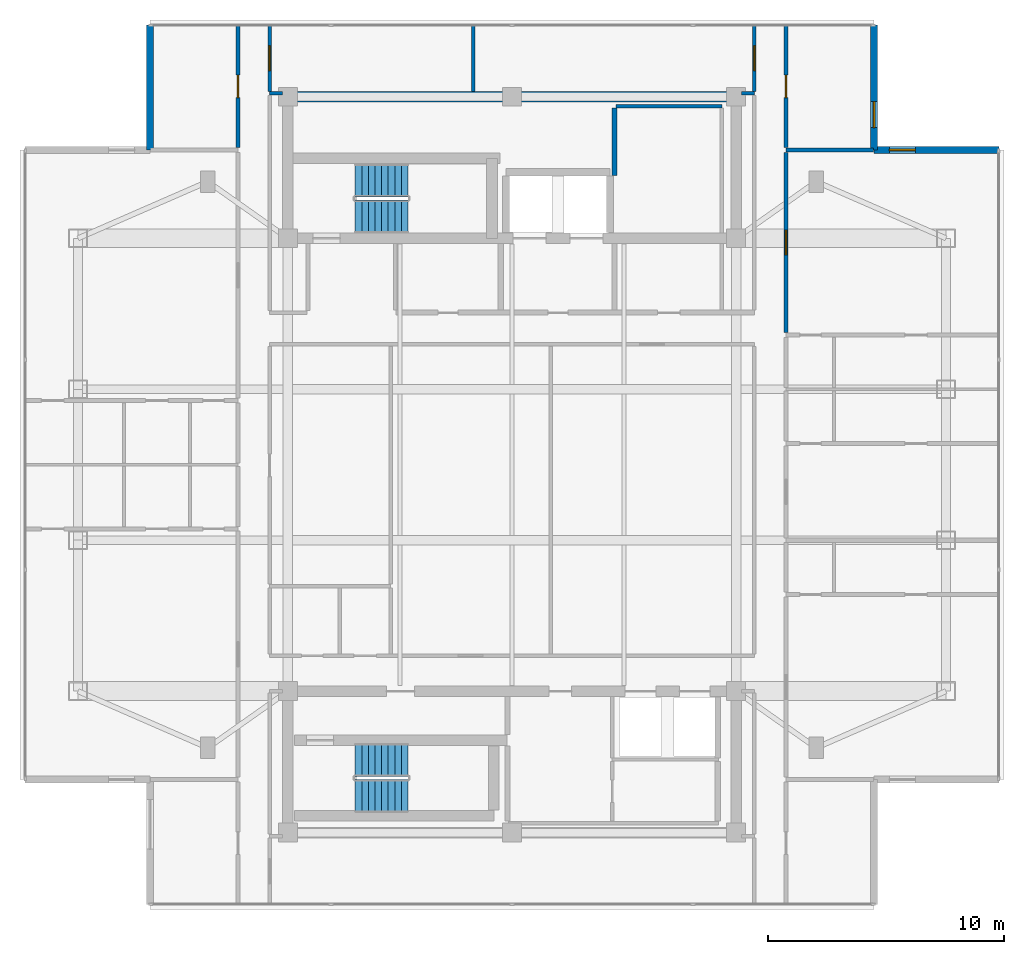
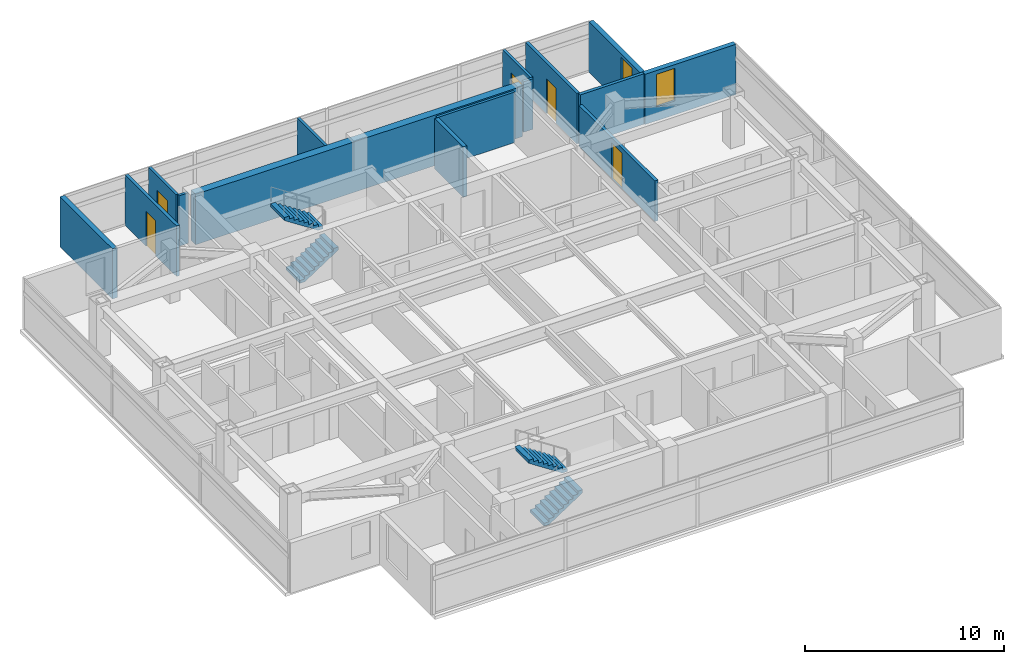
# One storey, part 9 of 12: 15 walls, 5 doors, 4 stair flights, 2 windows, 7 openings, 2 elements without a shape of their own.
"""IFC4 building model written with IfcOpenShell, lengths in metres."""

from ifc_helpers import new_model, si_unit, direction, frame, frame_2d, origin, place, context, subcontext, project, spatial, polyline, rectangle, outline, extrude, material, layer, layer_set, type_object, element, fill, aggregate, save


model = new_model("IFC4")

# Units and contexts
model_context = context("Model", 3, precision=1e-05, world=origin(), true_north=direction((0.0, 1.0)))
body_context = subcontext(model_context, "Body", "Model", "MODEL_VIEW")
ifc_project = project(units=[si_unit("LENGTHUNIT", "METRE"), si_unit("AREAUNIT", "SQUARE_METRE"), si_unit("VOLUMEUNIT", "CUBIC_METRE"), si_unit("PLANEANGLEUNIT", "RADIAN"), si_unit("MASSUNIT", "GRAM", prefix="KILO")], contexts=[model_context])

# Site, building, storey
site_placement = place(None, origin())
site = spatial("IfcSite", under=ifc_project, at=site_placement, CompositionType="ELEMENT")
building_placement = place(site_placement, origin())
building = spatial("IfcBuilding", under=site, at=building_placement, Name="Mirazonda Arch Towers", CompositionType="ELEMENT")
storey_placement = place(building_placement, frame((0.0, 0.0, 226.0)))
storey = spatial("IfcBuildingStorey", under=building, at=storey_placement, Name="L64", CompositionType="ELEMENT", Elevation=226.0)

# Wall
ifc_material_1 = material(Name="Concrete C50/60", Category="concrete")
ifc_layer_1 = layer(ifc_material_1, 0.449951171875, Name="WALL-CORE-450")
ifc_layer_set_1 = layer_set([ifc_layer_1], Name="Concrete C50/60")
wall_type_1 = type_object("IfcWallType", Name="WALL-CORE-450", PredefinedType="SHEAR", material=ifc_layer_set_1)
wall_1_placement = place(storey_placement, frame((11.0, 43.60009765625, 0.0), z_axis=(0.0, 0.0, 1.0), x_axis=(1.0, 0.0, 0.0)))
element("IfcWall", 1, at=wall_1_placement, inside=storey, type_object=wall_type_1, Name="L64 T1N-N Core Shear Wall", PredefinedType="SHEAR", context=body_context, shape_type="SweptSolid", body=[
    extrude(rectangle(XDim=19.0, YDim=0.449951171875, at=frame_2d((9.5, 0.0))), origin(), (0.0, 0.0, 1.0), 3.10009765625),
])

# Wall, opening, window
ifc_material_2 = material(Name="Precast Concrete C40/50", Category="concrete")
ifc_layer_2 = layer(ifc_material_2, 0.280029296875, Name="WALL-EXT-WALL-280")
ifc_layer_set_2 = layer_set([ifc_layer_2], Name="Precast Concrete C40/50")
wall_type_2 = type_object("IfcWallType", Name="WALL-EXT-WALL-280", PredefinedType="SOLIDWALL", material=ifc_layer_set_2)
wall_2_placement = place(storey_placement, frame((35.85009765625, 41.345947265625, 0.0), z_axis=(0.0, 0.0, 1.0), x_axis=(0.0, 1.0, 0.0)))
wall_2 = element("IfcWall", 2, at=wall_2_placement, inside=storey, type_object=wall_type_2, Name="L64 T1 Notched NE Corner Wall WL-L64-T1-CNE", PredefinedType="SOLIDWALL", context=body_context, shape_type="SweptSolid", body=[
    extrude(rectangle(XDim=5.2900390625, YDim=0.280029296875, at=frame_2d((2.64501953125, 0.0))), origin(), (0.0, 0.0, 1.0), 3.080078125),
])
opening_1_placement = place(wall_2_placement, frame((0.949951171875, 0.0, 0.85009765625)))
opening_1 = element("IfcOpeningElement", 3, at=opening_1_placement, cuts=wall_2, Name="Opening WN-108", PredefinedType="OPENING", context=body_context, shape_type="SweptSolid", body=[
    extrude(rectangle(XDim=1.10009765625, YDim=2.0, at=frame_2d((0.550048828125, 1.0))), frame((0.0, 0.14990234375, 0.0), z_axis=(0.0, -1.0, 0.0), x_axis=(1.0, 0.0, 0.0)), (0.0, 0.0, 1.0), 0.300048828125),
])
ifc_material_3 = material(Name="Insulated Low-E Solar Glass", Category="glass")
window_type = type_object("IfcWindowType", Name="WIN-NOTCH-1100x2000", PartitioningType="SINGLE_PANEL", PredefinedType="WINDOW", material=ifc_material_3)
window_1_placement = place(opening_1_placement, origin())
window_1 = element("IfcWindow", 4, at=window_1_placement, inside=storey, type_object=window_type, Name="L64 Punched Facade Window WN-L64-T1-CNE", OverallHeight=2.0, OverallWidth=1.10009765625, PartitioningType="SINGLE_PANEL", PredefinedType="WINDOW", context=body_context, shape_type="SweptSolid", body=[
    extrude(rectangle(XDim=1.10009765625, YDim=2.0, at=frame_2d((0.550048828125, 1.0))), frame((0.0, 0.030029296875, 0.0), z_axis=(0.0, -1.0, 0.0), x_axis=(1.0, 0.0, 0.0)), (0.0, 0.0, 1.0), 0.06005859375),
])
fill(opening_1, window_1)

# Wall
wall_3_placement = place(storey_placement, frame((5.14990234375, 46.635986328125, 0.0), z_axis=(0.0, 0.0, 1.0), x_axis=(0.0, -1.0, 0.0)))
element("IfcWall", 5, at=wall_3_placement, inside=storey, type_object=wall_type_2, Name="L64 T1 Corner Notch Return Wall WL-L64-T1-CNW2", PredefinedType="SOLIDWALL", context=body_context, shape_type="SweptSolid", body=[
    extrude(rectangle(XDim=5.2900390625, YDim=0.280029296875, at=frame_2d((2.64501953125, 0.0))), origin(), (0.0, 0.0, 1.0), 3.080078125),
])

# Wall, opening, window
wall_4_placement = place(storey_placement, frame((41.139892578125, 41.345947265625, 0.0), z_axis=(0.0, 0.0, 1.0), x_axis=(-1.0, 0.0, 0.0)))
wall_4 = element("IfcWall", 6, at=wall_4_placement, inside=storey, type_object=wall_type_2, Name="L64 T1 Corner Notch Return Wall WL-L64-T1-CNE2", PredefinedType="SOLIDWALL", context=body_context, shape_type="SweptSolid", body=[
    extrude(rectangle(XDim=5.289794921875, YDim=0.280029296875, at=frame_2d((2.64501953125, 0.0))), origin(), (0.0, 0.0, 1.0), 3.080078125),
])
opening_2_placement = place(wall_4_placement, frame((3.5400390625, 0.0, 0.85009765625)))
opening_2 = element("IfcOpeningElement", 7, at=opening_2_placement, cuts=wall_4, Name="Opening WN-108", PredefinedType="OPENING", context=body_context, shape_type="SweptSolid", body=[
    extrude(rectangle(XDim=1.10009765625, YDim=2.0, at=frame_2d((0.550048828125, 1.0))), frame((0.0, 0.14990234375, 0.0), z_axis=(0.0, -1.0, 0.0), x_axis=(1.0, 0.0, 0.0)), (0.0, 0.0, 1.0), 0.300048828125),
])
window_2_placement = place(opening_2_placement, origin())
window_2 = element("IfcWindow", 8, at=window_2_placement, inside=storey, type_object=window_type, Name="L64 Punched Facade Window WN-L64-T1-CNE2", OverallHeight=2.0, OverallWidth=1.10009765625, PartitioningType="SINGLE_PANEL", PredefinedType="WINDOW", context=body_context, shape_type="SweptSolid", body=[
    extrude(rectangle(XDim=1.10009765625, YDim=2.0, at=frame_2d((0.550048828125, 1.0))), frame((0.0, 0.030029296875, 0.0), z_axis=(0.0, -1.0, 0.0), x_axis=(1.0, 0.0, 0.0)), (0.0, 0.0, 1.0), 0.06005859375),
])
fill(opening_2, window_2)

# Walls
ifc_material_4 = material(Name="Concrete C40/50", Category="concrete")
ifc_layer_3 = layer(ifc_material_4, 0.219970703125, Name="WALL-FFL-220")
ifc_layer_set_3 = layer_set([ifc_layer_3], Name="Concrete C40/50")
wall_type_3 = type_object("IfcWallType", Name="WALL-FFL-220", PredefinedType="SOLIDWALL", material=ifc_layer_set_3)
wall_5_placement = place(storey_placement, frame((24.85009765625, 40.260009765625, 0.0), z_axis=(0.0, 0.0, 1.0), x_axis=(0.0, 1.0, 0.0)))
element("IfcWall", 9, at=wall_5_placement, inside=storey, type_object=wall_type_3, Name="L64 Interior Partition 062", PredefinedType="SOLIDWALL", context=body_context, shape_type="SweptSolid", body=[
    extrude(rectangle(XDim=2.85498046875, YDim=0.219970703125, at=frame_2d((1.427490234375, 0.0))), origin(), (0.0, 0.0, 1.0), 3.10009765625),
])
ifc_material_5 = material(Name="Fire-Rated Gypsum Stud Partition")
ifc_layer_4 = layer(ifc_material_5, 0.14990234375, Name="WALL-PART-CORR-150")
ifc_layer_set_4 = layer_set([ifc_layer_4], Name="Fire-Rated Gypsum Stud Partition")
wall_type_4 = type_object("IfcWallType", Name="WALL-PART-CORR-150", PredefinedType="PARTITIONING", material=ifc_layer_set_4)
wall_6_placement = place(storey_placement, frame((24.89990234375, 43.199951171875, 0.0), z_axis=(0.0, 0.0, 1.0), x_axis=(1.0, 0.0, 0.0)))
element("IfcWall", 10, at=wall_6_placement, inside=storey, type_object=wall_type_4, Name="L64 Interior Partition 027", PredefinedType="PARTITIONING", context=body_context, shape_type="SweptSolid", body=[
    extrude(rectangle(XDim=4.5, YDim=0.14990234375, at=frame_2d((2.25, 0.0))), origin(), (0.0, 0.0, 1.0), 3.10009765625),
])
for number, where, z_axis, x_axis, name in (
    (11, (10.219970703125, 43.75, 0.0), (0.0, 0.0, 1.0), (1.0, 0.0, 0.0), "L64 Interior Partition 028"),
    (12, (30.219970703125, 43.75, 0.0), (0.0, 0.0, 1.0), (1.0, 0.0, 0.0), "L64 Interior Partition 029"),
):
    element("IfcWall", number, at=place(storey_placement, frame(where, z_axis=z_axis, x_axis=x_axis)), inside=storey, type_object=wall_type_4, Name=name, PredefinedType="PARTITIONING", context=body_context, shape_type="SweptSolid", body=[
        extrude(rectangle(XDim=0.56005859375, YDim=0.14990234375, at=frame_2d((0.280029296875, 0.0))), origin(), (0.0, 0.0, 1.0), 3.10009765625),
    ])

# Wall, opening, door
wall_7_placement = place(storey_placement, frame((10.219970703125, 43.8349609375, 0.0), z_axis=(0.0, 0.0, 1.0), x_axis=(0.0, 1.0, 0.0)))
wall_7 = element("IfcWall", 13, at=wall_7_placement, inside=storey, type_object=wall_type_4, Name="L64 Interior Partition 045", PredefinedType="PARTITIONING", context=body_context, shape_type="SweptSolid", body=[
    extrude(rectangle(XDim=2.801025390625, YDim=0.14990234375, at=frame_2d((1.400390625, 0.0))), origin(), (0.0, 0.0, 1.0), 3.10009765625),
])
opening_3_placement = place(wall_7_placement, frame((0.87548828125, 0.0, 0.0)))
opening_3 = element("IfcOpeningElement", 14, at=opening_3_placement, cuts=wall_7, Name="Opening DR-121", PredefinedType="OPENING", context=body_context, shape_type="SweptSolid", body=[
    extrude(rectangle(XDim=1.050048828125, YDim=2.199951171875, at=frame_2d((0.52490234375, 1.10009765625))), frame((0.0, 0.0849609375, 0.0), z_axis=(0.0, -1.0, 0.0), x_axis=(1.0, 0.0, 0.0)), (0.0, 0.0, 1.0), 0.169921875),
])
ifc_material_6 = material(Name="Architectural Brushed Steel S355", Category="steel")
door_type_1 = type_object("IfcDoorType", Name="DOOR-SUITE-FD60-1050", OperationType="NOTDEFINED", PredefinedType="DOOR", material=ifc_material_6)
door_1_placement = place(opening_3_placement, origin())
door_1 = element("IfcDoor", 15, at=door_1_placement, inside=storey, type_object=door_type_1, Name="L64 North Bay Sunroom West Door", OperationType="SINGLE_SWING_LEFT", OverallHeight=2.199951171875, OverallWidth=1.050048828125, PredefinedType="DOOR", context=body_context, shape_type="SweptSolid", body=[
    extrude(rectangle(XDim=1.050048828125, YDim=2.199951171875, at=frame_2d((0.52490234375, 1.10009765625))), frame((0.0, 0.02490234375, 0.0), z_axis=(0.0, -1.0, 0.0), x_axis=(1.0, 0.0, 0.0)), (0.0, 0.0, 1.0), 0.050048828125),
])
fill(opening_3, door_1)

# Wall
wall_8_placement = place(storey_placement, frame((18.85498046875, 43.820068359375, 0.0), z_axis=(0.0, 0.0, 1.0), x_axis=(0.0, 1.0, 0.0)))
element("IfcWall", 16, at=wall_8_placement, inside=storey, type_object=wall_type_4, Name="L64 Interior Partition 051", PredefinedType="PARTITIONING", context=body_context, shape_type="SweptSolid", body=[
    extrude(rectangle(XDim=2.81591796875, YDim=0.14990234375, at=frame_2d((1.407958984375, 0.0))), origin(), (0.0, 0.0, 1.0), 3.10009765625),
])

# Wall, opening, door
wall_9_placement = place(storey_placement, frame((30.780029296875, 43.8349609375, 0.0), z_axis=(0.0, 0.0, 1.0), x_axis=(0.0, 1.0, 0.0)))
wall_9 = element("IfcWall", 17, at=wall_9_placement, inside=storey, type_object=wall_type_4, Name="L64 Interior Partition 071", PredefinedType="PARTITIONING", context=body_context, shape_type="SweptSolid", body=[
    extrude(rectangle(XDim=2.801025390625, YDim=0.14990234375, at=frame_2d((1.400390625, 0.0))), origin(), (0.0, 0.0, 1.0), 3.10009765625),
])
opening_4_placement = place(wall_9_placement, frame((0.87548828125, 0.0, 0.0)))
opening_4 = element("IfcOpeningElement", 18, at=opening_4_placement, cuts=wall_9, Name="Opening DR-121", PredefinedType="OPENING", context=body_context, shape_type="SweptSolid", body=[
    extrude(rectangle(XDim=1.050048828125, YDim=2.199951171875, at=frame_2d((0.52490234375, 1.10009765625))), frame((0.0, 0.0849609375, 0.0), z_axis=(0.0, -1.0, 0.0), x_axis=(1.0, 0.0, 0.0)), (0.0, 0.0, 1.0), 0.169921875),
])
door_2_placement = place(opening_4_placement, origin())
door_2 = element("IfcDoor", 19, at=door_2_placement, inside=storey, type_object=door_type_1, Name="L64 North Bay Sunroom East Door", OperationType="SINGLE_SWING_RIGHT", OverallHeight=2.199951171875, OverallWidth=1.050048828125, PredefinedType="DOOR", context=body_context, shape_type="SweptSolid", body=[
    extrude(rectangle(XDim=1.050048828125, YDim=2.199951171875, at=frame_2d((0.52490234375, 1.10009765625))), frame((0.0, 0.02490234375, 0.0), z_axis=(0.0, -1.0, 0.0), x_axis=(1.0, 0.0, 0.0)), (0.0, 0.0, 1.0), 0.050048828125),
])
fill(opening_4, door_2)

# Wall
ifc_material_7 = material(Name="Fire-Rated Gypsum Twin-Stud Assembly")
ifc_layer_5 = layer(ifc_material_7, 0.179931640625, Name="WALL-PART-DEMISE-180")
ifc_layer_set_5 = layer_set([ifc_layer_5], Name="Fire-Rated Gypsum Twin-Stud Assembly")
wall_type_5 = type_object("IfcWallType", Name="WALL-PART-DEMISE-180", PredefinedType="PARTITIONING", material=ifc_layer_set_5)
wall_10_placement = place(storey_placement, frame((32.1201171875, 41.345947265625, 0.0), z_axis=(0.0, 0.0, 1.0), x_axis=(1.0, 0.0, 0.0)))
element("IfcWall", 20, at=wall_10_placement, inside=storey, type_object=wall_type_5, Name="L64 Interior Partition 026", PredefinedType="PARTITIONING", context=body_context, shape_type="SweptSolid", body=[
    extrude(rectangle(XDim=3.7099609375, YDim=0.179931640625, at=frame_2d((1.85498046875, 0.0))), origin(), (0.0, 0.0, 1.0), 3.10009765625),
])

# Wall, opening, door
wall_11_placement = place(storey_placement, frame((8.8798828125, 41.446044921875, 0.0), z_axis=(0.0, 0.0, 1.0), x_axis=(0.0, 1.0, 0.0)))
wall_11 = element("IfcWall", 21, at=wall_11_placement, inside=storey, type_object=wall_type_5, Name="L64 Interior Partition 039", PredefinedType="PARTITIONING", context=body_context, shape_type="SweptSolid", body=[
    extrude(rectangle(XDim=5.18994140625, YDim=0.179931640625, at=frame_2d((2.594970703125, 0.0))), origin(), (0.0, 0.0, 1.0), 3.10009765625),
])
opening_5_placement = place(wall_11_placement, frame((2.1201171875, 0.0, 0.0)))
opening_5 = element("IfcOpeningElement", 22, at=opening_5_placement, cuts=wall_11, Name="Opening DR-104", PredefinedType="OPENING", context=body_context, shape_type="SweptSolid", body=[
    extrude(rectangle(XDim=0.949951171875, YDim=2.14990234375, at=frame_2d((0.47509765625, 1.074951171875))), frame((0.0, 0.099853515625, 0.0), z_axis=(0.0, -1.0, 0.0), x_axis=(1.0, 0.0, 0.0)), (0.0, 0.0, 1.0), 0.199951171875),
])
door_type_2 = type_object("IfcDoorType", Name="DOOR-ROOM-950", OperationType="NOTDEFINED", PredefinedType="DOOR", material=ifc_material_6)
door_3_placement = place(opening_5_placement, origin())
door_3 = element("IfcDoor", 23, at=door_3_placement, inside=storey, type_object=door_type_2, Name="L64 North Bay Sunroom Alcove West Door", OperationType="SINGLE_SWING_LEFT", OverallHeight=2.14990234375, OverallWidth=0.949951171875, PredefinedType="DOOR", context=body_context, shape_type="SweptSolid", body=[
    extrude(rectangle(XDim=0.949951171875, YDim=2.14990234375, at=frame_2d((0.47509765625, 1.074951171875))), frame((0.0, 0.02490234375, 0.0), z_axis=(0.0, -1.0, 0.0), x_axis=(1.0, 0.0, 0.0)), (0.0, 0.0, 1.0), 0.050048828125),
])
fill(opening_5, door_3)

wall_12_placement = place(storey_placement, frame((32.1201171875, 33.60009765625, 0.0), z_axis=(0.0, 0.0, 1.0), x_axis=(0.0, 1.0, 0.0)))
wall_12 = element("IfcWall", 24, at=wall_12_placement, inside=storey, type_object=wall_type_5, Name="L64 Interior Partition 078", PredefinedType="PARTITIONING", context=body_context, shape_type="SweptSolid", body=[
    extrude(rectangle(XDim=7.64599609375, YDim=0.179931640625, at=frame_2d((3.822998046875, 0.0))), origin(), (0.0, 0.0, 1.0), 2.491943359375),
])
opening_6_placement = place(wall_12_placement, frame((3.298095703125, 0.0, 0.0)))
opening_6 = element("IfcOpeningElement", 25, at=opening_6_placement, cuts=wall_12, Name="Opening DR-121", PredefinedType="OPENING", context=body_context, shape_type="SweptSolid", body=[
    extrude(rectangle(XDim=1.050048828125, YDim=2.199951171875, at=frame_2d((0.52490234375, 1.10009765625))), frame((0.0, 0.099853515625, 0.0), z_axis=(0.0, -1.0, 0.0), x_axis=(1.0, 0.0, 0.0)), (0.0, 0.0, 1.0), 0.199951171875),
])
door_4_placement = place(opening_6_placement, origin())
door_4 = element("IfcDoor", 26, at=door_4_placement, inside=storey, type_object=door_type_1, Name="L64 Studio Apartment 3 Living Salon Door", OperationType="SINGLE_SWING_LEFT", OverallHeight=2.199951171875, OverallWidth=1.050048828125, PredefinedType="DOOR", context=body_context, shape_type="SweptSolid", body=[
    extrude(rectangle(XDim=1.050048828125, YDim=2.199951171875, at=frame_2d((0.52490234375, 1.10009765625))), frame((0.0, 0.02490234375, 0.0), z_axis=(0.0, -1.0, 0.0), x_axis=(1.0, 0.0, 0.0)), (0.0, 0.0, 1.0), 0.050048828125),
])
fill(opening_6, door_4)

wall_13_placement = place(storey_placement, frame((32.1201171875, 41.446044921875, 0.0), z_axis=(0.0, 0.0, 1.0), x_axis=(0.0, 1.0, 0.0)))
wall_13 = element("IfcWall", 27, at=wall_13_placement, inside=storey, type_object=wall_type_5, Name="L64 Interior Partition 079", PredefinedType="PARTITIONING", context=body_context, shape_type="SweptSolid", body=[
    extrude(rectangle(XDim=5.18994140625, YDim=0.179931640625, at=frame_2d((2.594970703125, 0.0))), origin(), (0.0, 0.0, 1.0), 3.10009765625),
])
opening_7_placement = place(wall_13_placement, frame((2.1201171875, 0.0, 0.0)))
opening_7 = element("IfcOpeningElement", 28, at=opening_7_placement, cuts=wall_13, Name="Opening DR-104", PredefinedType="OPENING", context=body_context, shape_type="SweptSolid", body=[
    extrude(rectangle(XDim=0.949951171875, YDim=2.14990234375, at=frame_2d((0.47509765625, 1.074951171875))), frame((0.0, 0.099853515625, 0.0), z_axis=(0.0, -1.0, 0.0), x_axis=(1.0, 0.0, 0.0)), (0.0, 0.0, 1.0), 0.199951171875),
])
door_5_placement = place(opening_7_placement, origin())
door_5 = element("IfcDoor", 29, at=door_5_placement, inside=storey, type_object=door_type_2, Name="L64 North Bay Sunroom Alcove East Door", OperationType="SINGLE_SWING_RIGHT", OverallHeight=2.14990234375, OverallWidth=0.949951171875, PredefinedType="DOOR", context=body_context, shape_type="SweptSolid", body=[
    extrude(rectangle(XDim=0.949951171875, YDim=2.14990234375, at=frame_2d((0.47509765625, 1.074951171875))), frame((0.0, 0.02490234375, 0.0), z_axis=(0.0, -1.0, 0.0), x_axis=(1.0, 0.0, 0.0)), (0.0, 0.0, 1.0), 0.050048828125),
])
fill(opening_7, door_5)

# Stair, stair flights
stair_type = type_object("IfcStairType", Name="STAIR-CORE-1400", PredefinedType="HALF_TURN_STAIR", material=ifc_material_4)
stair_1_placement = place(storey_placement, origin())
stair_1 = element("IfcStair", 30, at=stair_1_placement, inside=storey, type_object=stair_type, Name="L64 Protected Exit Stair ST-T1N", PredefinedType="HALF_TURN_STAIR")
stair_flight_type = type_object("IfcStairFlightType", Name="FLIGHT-1400", PredefinedType="STRAIGHT", material=ifc_material_4)
stair_flight_1_placement = place(storey_placement, frame((13.85009765625, 38.52001953125, 0.0), z_axis=(0.0, 0.0, 1.0), x_axis=(1.0, 0.0, 0.0)))
stair_flight_1 = element("IfcStairFlight", 31, at=stair_flight_1_placement, type_object=stair_flight_type, Name="ST-T1N flight 1", NumberOfRisers=9, NumberOfTreads=8, PredefinedType="STRAIGHT", RiserHeight=0.183333333, TreadLength=0.28, context=body_context, shape_type="SweptSolid", body=[
    extrude(outline(polyline([(0.0, 0.0), (0.0, 0.183349609375), (0.280029296875, 0.183349609375), (0.280029296875, 0.36669921875), (0.56005859375, 0.36669921875), (0.56005859375, 0.550048828125), (0.840087890625, 0.550048828125), (0.840087890625, 0.7333984375), (1.1201171875, 0.7333984375), (1.1201171875, 0.916748046875), (1.39990234375, 0.916748046875), (1.39990234375, 1.10009765625), (1.679931640625, 1.10009765625), (1.679931640625, 1.283447265625), (1.9599609375, 1.283447265625), (1.9599609375, 1.466552734375), (2.239990234375, 1.466552734375), (2.239990234375, 1.64990234375), (2.239990234375, 1.275634765625), (0.2919921875, 0.0), (0.0, 0.0)])), frame((0.0, 0.699951171875, 0.0), z_axis=(0.0, -1.0, 0.0), x_axis=(1.0, 0.0, 0.0)), (0.0, 0.0, 1.0), 1.39990234375),
])
stair_flight_2_placement = place(storey_placement, frame((16.090087890625, 40.06005859375, 1.64990234375), z_axis=(0.0, 0.0, 1.0), x_axis=(-1.0, 0.0, 0.0)))
stair_flight_2 = element("IfcStairFlight", 32, at=stair_flight_2_placement, type_object=stair_flight_type, Name="ST-T1N flight 2", NumberOfRisers=9, NumberOfTreads=8, PredefinedType="STRAIGHT", RiserHeight=0.183333333, TreadLength=0.28, context=body_context, shape_type="SweptSolid", body=[
    extrude(outline(polyline([(0.0, 0.0), (0.0, 0.183349609375), (0.280029296875, 0.183349609375), (0.280029296875, 0.36669921875), (0.56005859375, 0.36669921875), (0.56005859375, 0.550048828125), (0.840087890625, 0.550048828125), (0.840087890625, 0.7333984375), (1.1201171875, 0.7333984375), (1.1201171875, 0.916748046875), (1.39990234375, 0.916748046875), (1.39990234375, 1.10009765625), (1.679931640625, 1.10009765625), (1.679931640625, 1.283447265625), (1.9599609375, 1.283447265625), (1.9599609375, 1.466552734375), (2.239990234375, 1.466552734375), (2.239990234375, 1.64990234375), (2.239990234375, 1.275634765625), (0.2919921875, 0.0), (0.0, 0.0)])), frame((0.0, 0.699951171875, 0.0), z_axis=(0.0, -1.0, 0.0), x_axis=(1.0, 0.0, 0.0)), (0.0, 0.0, 1.0), 1.39990234375),
])
aggregate(stair_1, [stair_flight_1, stair_flight_2])

stair_2_placement = place(storey_placement, origin())
stair_2 = element("IfcStair", 33, at=stair_2_placement, inside=storey, type_object=stair_type, Name="L64 Protected Exit Stair ST-T1S", PredefinedType="HALF_TURN_STAIR")
stair_flight_3_placement = place(storey_placement, frame((13.85009765625, 13.949951171875, 0.0), z_axis=(0.0, 0.0, 1.0), x_axis=(1.0, 0.0, 0.0)))
stair_flight_3 = element("IfcStairFlight", 34, at=stair_flight_3_placement, type_object=stair_flight_type, Name="ST-T1S flight 1", NumberOfRisers=9, NumberOfTreads=8, PredefinedType="STRAIGHT", RiserHeight=0.183333333, TreadLength=0.28, context=body_context, shape_type="SweptSolid", body=[
    extrude(outline(polyline([(0.0, 0.0), (0.0, 0.183349609375), (0.280029296875, 0.183349609375), (0.280029296875, 0.36669921875), (0.56005859375, 0.36669921875), (0.56005859375, 0.550048828125), (0.840087890625, 0.550048828125), (0.840087890625, 0.7333984375), (1.1201171875, 0.7333984375), (1.1201171875, 0.916748046875), (1.39990234375, 0.916748046875), (1.39990234375, 1.10009765625), (1.679931640625, 1.10009765625), (1.679931640625, 1.283447265625), (1.9599609375, 1.283447265625), (1.9599609375, 1.466552734375), (2.239990234375, 1.466552734375), (2.239990234375, 1.64990234375), (2.239990234375, 1.275634765625), (0.2919921875, 0.0), (0.0, 0.0)])), frame((0.0, 0.699951171875, 0.0), z_axis=(0.0, -1.0, 0.0), x_axis=(1.0, 0.0, 0.0)), (0.0, 0.0, 1.0), 1.39990234375),
])
stair_flight_4_placement = place(storey_placement, frame((16.090087890625, 15.489990234375, 1.64990234375), z_axis=(0.0, 0.0, 1.0), x_axis=(-1.0, 0.0, 0.0)))
stair_flight_4 = element("IfcStairFlight", 35, at=stair_flight_4_placement, type_object=stair_flight_type, Name="ST-T1S flight 2", NumberOfRisers=9, NumberOfTreads=8, PredefinedType="STRAIGHT", RiserHeight=0.183333333, TreadLength=0.28, context=body_context, shape_type="SweptSolid", body=[
    extrude(outline(polyline([(0.0, 0.0), (0.0, 0.183349609375), (0.280029296875, 0.183349609375), (0.280029296875, 0.36669921875), (0.56005859375, 0.36669921875), (0.56005859375, 0.550048828125), (0.840087890625, 0.550048828125), (0.840087890625, 0.7333984375), (1.1201171875, 0.7333984375), (1.1201171875, 0.916748046875), (1.39990234375, 0.916748046875), (1.39990234375, 1.10009765625), (1.679931640625, 1.10009765625), (1.679931640625, 1.283447265625), (1.9599609375, 1.283447265625), (1.9599609375, 1.466552734375), (2.239990234375, 1.466552734375), (2.239990234375, 1.64990234375), (2.239990234375, 1.275634765625), (0.2919921875, 0.0), (0.0, 0.0)])), frame((0.0, 0.699951171875, 0.0), z_axis=(0.0, -1.0, 0.0), x_axis=(1.0, 0.0, 0.0)), (0.0, 0.0, 1.0), 1.39990234375),
])
aggregate(stair_2, [stair_flight_3, stair_flight_4])

save(model, "model.ifc")
